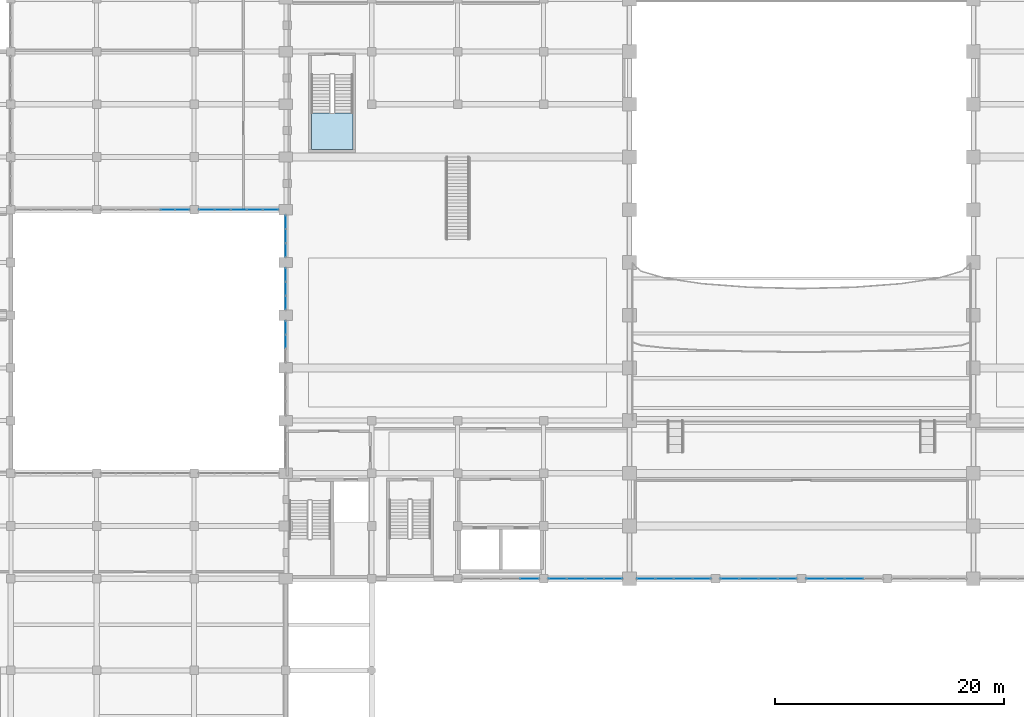
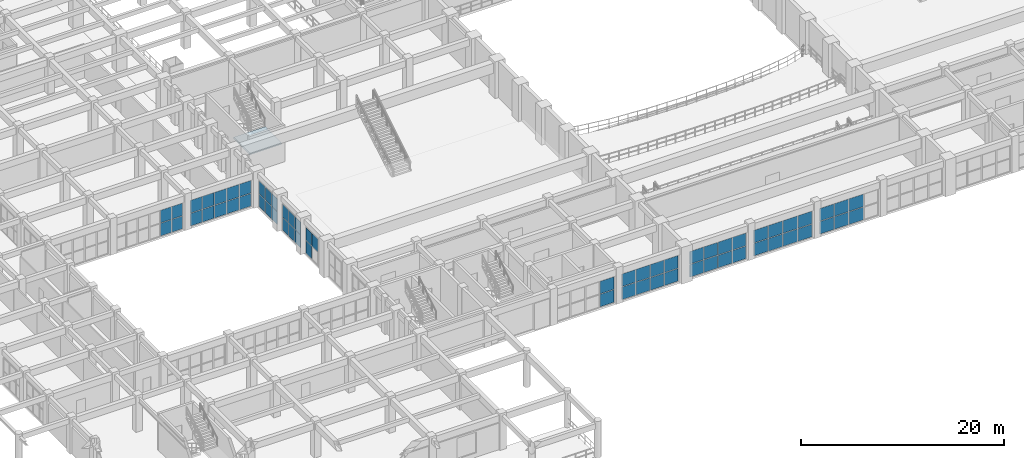
# One storey, part 87 of 116: 61 plates, 1 slab, 11 elements without a shape of their own.
"""IFC4 building model written with IfcOpenShell, lengths in metres."""

from ifc_helpers import new_model, si_unit, direction, frame, origin, origin_2d, place, context, subcontext, project, spatial, polyline, rectangle, outline, extrude, material, layer, layer_set, type_object, element, aggregate, save


model = new_model("IFC4")

# Units and contexts
model_context = context("Model", 3, precision=1e-05, world=origin(), true_north=direction((0.0, 1.0)))
body_context = subcontext(model_context, "Body", "Model", "MODEL_VIEW")
ifc_project = project(units=[si_unit("LENGTHUNIT", "METRE"), si_unit("AREAUNIT", "SQUARE_METRE"), si_unit("VOLUMEUNIT", "CUBIC_METRE"), si_unit("PLANEANGLEUNIT", "RADIAN"), si_unit("MASSUNIT", "GRAM", prefix="KILO")], contexts=[model_context])

# Site, building, storey
site_placement = place(None, origin())
site = spatial("IfcSite", under=ifc_project, at=site_placement, CompositionType="ELEMENT")
building_placement = place(site_placement, origin())
building = spatial("IfcBuilding", under=site, at=building_placement, Name="Muzn Square Opera House", CompositionType="ELEMENT")
storey_placement = place(building_placement, frame((0.0, 0.0, 5.39990234375)))
storey = spatial("IfcBuildingStorey", under=building, at=storey_placement, Name="L01", CompositionType="ELEMENT", Elevation=5.39990234375)

# Curtain wall, plates
ifc_material_1 = material(Name="Low-E laminated acoustic double glazing", Category="glass")
ifc_layer_1 = layer(ifc_material_1, 0.159912109375, Name="Low-E laminated acoustic double glazing", Category="glass")
ifc_layer_set_1 = layer_set([ifc_layer_1], Name="Low-E laminated acoustic double glazing")
curtain_wall_type_1 = type_object("IfcCurtainWallType", Name="Glazed Curtain Wall Forecourt 6750x3200", PredefinedType="USERDEFINED", material=ifc_layer_set_1)
curtain_wall_1_placement = place(storey_placement, origin())
curtain_wall_1 = element("IfcCurtainWall", 1, at=curtain_wall_1_placement, inside=storey, type_object=curtain_wall_type_1, Name="Glazed Curtain Wall CW-L01-003", ObjectType="GLAZED CURTAIN WALL", PredefinedType="USERDEFINED")
ifc_layer_2 = layer(ifc_material_1, 0.028076171875, Name="Low-E laminated acoustic double glazing", Category="glass")
ifc_layer_set_2 = layer_set([ifc_layer_2], Name="Low-E laminated acoustic double glazing")
plate_type = type_object("IfcPlateType", Name="Curtain Wall Acoustic Glazed Panel 28mm", PredefinedType="CURTAIN_PANEL", material=ifc_layer_set_2)
plate_1_placement = place(storey_placement, frame((64.266357421875, 22.0, 0.06005859375), z_axis=(0.0, 0.0, 1.0), x_axis=(1.0, 0.0, 0.0)))
plate_1 = element("IfcPlate", 2, at=plate_1_placement, type_object=plate_type, Name="CW-FC-67x32 panel 4.1", PredefinedType="CURTAIN_PANEL", context=body_context, shape_type="SweptSolid", body=[
    extrude(rectangle(XDim=1.597412109375, YDim=0.028076171875, at=origin_2d()), origin(), (0.0, 0.0, 1.0), 1.510009765625),
])
plate_2_placement = place(storey_placement, frame((64.266357421875, 22.0, 1.6298828125), z_axis=(0.0, 0.0, 1.0), x_axis=(1.0, 0.0, 0.0)))
plate_2 = element("IfcPlate", 3, at=plate_2_placement, type_object=plate_type, Name="CW-FC-67x32 panel 4.2", PredefinedType="CURTAIN_PANEL", context=body_context, shape_type="SweptSolid", body=[
    extrude(rectangle(XDim=1.597412109375, YDim=0.028076171875, at=origin_2d()), origin(), (0.0, 0.0, 1.0), 1.510009765625),
])
aggregate(curtain_wall_1, [plate_1, plate_2])

ifc_layer_3 = layer(ifc_material_1, 0.159912109375, Name="Low-E laminated acoustic double glazing", Category="glass")
ifc_layer_set_3 = layer_set([ifc_layer_3], Name="Low-E laminated acoustic double glazing")
curtain_wall_type_2 = type_object("IfcCurtainWallType", Name="Glazed Curtain Wall Forecourt 6525x3200", PredefinedType="USERDEFINED", material=ifc_layer_set_3)
curtain_wall_2_placement = place(storey_placement, origin())
curtain_wall_2 = element("IfcCurtainWall", 4, at=curtain_wall_2_placement, inside=storey, type_object=curtain_wall_type_2, Name="Glazed Curtain Wall CW-L01-004", ObjectType="GLAZED CURTAIN WALL", PredefinedType="USERDEFINED")
plate_3_placement = place(storey_placement, frame((66.70556640625, 22.0, 0.06005859375), z_axis=(0.0, 0.0, 1.0), x_axis=(1.0, 0.0, 0.0)))
plate_3 = element("IfcPlate", 5, at=plate_3_placement, type_object=plate_type, Name="CW-FC-65x32 panel 1.1", PredefinedType="CURTAIN_PANEL", context=body_context, shape_type="SweptSolid", body=[
    extrude(rectangle(XDim=1.541259765625, YDim=0.028076171875, at=origin_2d()), origin(), (0.0, 0.0, 1.0), 1.510009765625),
])
plate_4_placement = place(storey_placement, frame((66.70556640625, 22.0, 1.6298828125), z_axis=(0.0, 0.0, 1.0), x_axis=(1.0, 0.0, 0.0)))
plate_4 = element("IfcPlate", 6, at=plate_4_placement, type_object=plate_type, Name="CW-FC-65x32 panel 1.2", PredefinedType="CURTAIN_PANEL", context=body_context, shape_type="SweptSolid", body=[
    extrude(rectangle(XDim=1.541259765625, YDim=0.028076171875, at=origin_2d()), origin(), (0.0, 0.0, 1.0), 1.510009765625),
])
plate_5_placement = place(storey_placement, frame((68.32177734375, 22.0, 0.06005859375), z_axis=(0.0, 0.0, 1.0), x_axis=(1.0, 0.0, 0.0)))
plate_5 = element("IfcPlate", 7, at=plate_5_placement, type_object=plate_type, Name="CW-FC-65x32 panel 2.1", PredefinedType="CURTAIN_PANEL", context=body_context, shape_type="SweptSolid", body=[
    extrude(rectangle(XDim=1.5712890625, YDim=0.028076171875, at=origin_2d()), origin(), (0.0, 0.0, 1.0), 1.510009765625),
])
plate_6_placement = place(storey_placement, frame((68.32177734375, 22.0, 1.6298828125), z_axis=(0.0, 0.0, 1.0), x_axis=(1.0, 0.0, 0.0)))
plate_6 = element("IfcPlate", 8, at=plate_6_placement, type_object=plate_type, Name="CW-FC-65x32 panel 2.2", PredefinedType="CURTAIN_PANEL", context=body_context, shape_type="SweptSolid", body=[
    extrude(rectangle(XDim=1.5712890625, YDim=0.028076171875, at=origin_2d()), origin(), (0.0, 0.0, 1.0), 1.510009765625),
])
plate_7_placement = place(storey_placement, frame((69.953125, 22.0, 0.06005859375), z_axis=(0.0, 0.0, 1.0), x_axis=(1.0, 0.0, 0.0)))
plate_7 = element("IfcPlate", 9, at=plate_7_placement, type_object=plate_type, Name="CW-FC-65x32 panel 3.1", PredefinedType="CURTAIN_PANEL", context=body_context, shape_type="SweptSolid", body=[
    extrude(rectangle(XDim=1.5712890625, YDim=0.028076171875, at=origin_2d()), origin(), (0.0, 0.0, 1.0), 1.510009765625),
])
plate_8_placement = place(storey_placement, frame((69.953125, 22.0, 1.6298828125), z_axis=(0.0, 0.0, 1.0), x_axis=(1.0, 0.0, 0.0)))
plate_8 = element("IfcPlate", 10, at=plate_8_placement, type_object=plate_type, Name="CW-FC-65x32 panel 3.2", PredefinedType="CURTAIN_PANEL", context=body_context, shape_type="SweptSolid", body=[
    extrude(rectangle(XDim=1.5712890625, YDim=0.028076171875, at=origin_2d()), origin(), (0.0, 0.0, 1.0), 1.510009765625),
])
plate_9_placement = place(storey_placement, frame((71.5693359375, 22.0, 0.06005859375), z_axis=(0.0, 0.0, 1.0), x_axis=(1.0, 0.0, 0.0)))
plate_9 = element("IfcPlate", 11, at=plate_9_placement, type_object=plate_type, Name="CW-FC-65x32 panel 4.1", PredefinedType="CURTAIN_PANEL", context=body_context, shape_type="SweptSolid", body=[
    extrude(rectangle(XDim=1.541259765625, YDim=0.028076171875, at=origin_2d()), origin(), (0.0, 0.0, 1.0), 1.510009765625),
])
plate_10_placement = place(storey_placement, frame((71.5693359375, 22.0, 1.6298828125), z_axis=(0.0, 0.0, 1.0), x_axis=(1.0, 0.0, 0.0)))
plate_10 = element("IfcPlate", 12, at=plate_10_placement, type_object=plate_type, Name="CW-FC-65x32 panel 4.2", PredefinedType="CURTAIN_PANEL", context=body_context, shape_type="SweptSolid", body=[
    extrude(rectangle(XDim=1.541259765625, YDim=0.028076171875, at=origin_2d()), origin(), (0.0, 0.0, 1.0), 1.510009765625),
])
aggregate(curtain_wall_2, [plate_3, plate_4, plate_5, plate_6, plate_7, plate_8, plate_9, plate_10])

curtain_wall_3_placement = place(storey_placement, origin())
curtain_wall_3 = element("IfcCurtainWall", 13, at=curtain_wall_3_placement, inside=storey, type_object=curtain_wall_type_2, Name="Glazed Curtain Wall CW-L01-005", ObjectType="GLAZED CURTAIN WALL", PredefinedType="USERDEFINED")
plate_11_placement = place(storey_placement, frame((74.4306640625, 22.0, 0.06005859375), z_axis=(0.0, 0.0, 1.0), x_axis=(1.0, 0.0, 0.0)))
plate_11 = element("IfcPlate", 14, at=plate_11_placement, type_object=plate_type, Name="CW-FC-65x32 panel 1.1", PredefinedType="CURTAIN_PANEL", context=body_context, shape_type="SweptSolid", body=[
    extrude(rectangle(XDim=1.541259765625, YDim=0.028076171875, at=origin_2d()), origin(), (0.0, 0.0, 1.0), 1.510009765625),
])
plate_12_placement = place(storey_placement, frame((74.4306640625, 22.0, 1.6298828125), z_axis=(0.0, 0.0, 1.0), x_axis=(1.0, 0.0, 0.0)))
plate_12 = element("IfcPlate", 15, at=plate_12_placement, type_object=plate_type, Name="CW-FC-65x32 panel 1.2", PredefinedType="CURTAIN_PANEL", context=body_context, shape_type="SweptSolid", body=[
    extrude(rectangle(XDim=1.541259765625, YDim=0.028076171875, at=origin_2d()), origin(), (0.0, 0.0, 1.0), 1.510009765625),
])
plate_13_placement = place(storey_placement, frame((76.046875, 22.0, 0.06005859375), z_axis=(0.0, 0.0, 1.0), x_axis=(1.0, 0.0, 0.0)))
plate_13 = element("IfcPlate", 16, at=plate_13_placement, type_object=plate_type, Name="CW-FC-65x32 panel 2.1", PredefinedType="CURTAIN_PANEL", context=body_context, shape_type="SweptSolid", body=[
    extrude(rectangle(XDim=1.5712890625, YDim=0.028076171875, at=origin_2d()), origin(), (0.0, 0.0, 1.0), 1.510009765625),
])
plate_14_placement = place(storey_placement, frame((76.046875, 22.0, 1.6298828125), z_axis=(0.0, 0.0, 1.0), x_axis=(1.0, 0.0, 0.0)))
plate_14 = element("IfcPlate", 17, at=plate_14_placement, type_object=plate_type, Name="CW-FC-65x32 panel 2.2", PredefinedType="CURTAIN_PANEL", context=body_context, shape_type="SweptSolid", body=[
    extrude(rectangle(XDim=1.5712890625, YDim=0.028076171875, at=origin_2d()), origin(), (0.0, 0.0, 1.0), 1.510009765625),
])
plate_15_placement = place(storey_placement, frame((77.67822265625, 22.0, 0.06005859375), z_axis=(0.0, 0.0, 1.0), x_axis=(1.0, 0.0, 0.0)))
plate_15 = element("IfcPlate", 18, at=plate_15_placement, type_object=plate_type, Name="CW-FC-65x32 panel 3.1", PredefinedType="CURTAIN_PANEL", context=body_context, shape_type="SweptSolid", body=[
    extrude(rectangle(XDim=1.5712890625, YDim=0.028076171875, at=origin_2d()), origin(), (0.0, 0.0, 1.0), 1.510009765625),
])
plate_16_placement = place(storey_placement, frame((77.67822265625, 22.0, 1.6298828125), z_axis=(0.0, 0.0, 1.0), x_axis=(1.0, 0.0, 0.0)))
plate_16 = element("IfcPlate", 19, at=plate_16_placement, type_object=plate_type, Name="CW-FC-65x32 panel 3.2", PredefinedType="CURTAIN_PANEL", context=body_context, shape_type="SweptSolid", body=[
    extrude(rectangle(XDim=1.5712890625, YDim=0.028076171875, at=origin_2d()), origin(), (0.0, 0.0, 1.0), 1.510009765625),
])
plate_17_placement = place(storey_placement, frame((79.29443359375, 22.0, 0.06005859375), z_axis=(0.0, 0.0, 1.0), x_axis=(1.0, 0.0, 0.0)))
plate_17 = element("IfcPlate", 20, at=plate_17_placement, type_object=plate_type, Name="CW-FC-65x32 panel 4.1", PredefinedType="CURTAIN_PANEL", context=body_context, shape_type="SweptSolid", body=[
    extrude(rectangle(XDim=1.541259765625, YDim=0.028076171875, at=origin_2d()), origin(), (0.0, 0.0, 1.0), 1.510009765625),
])
plate_18_placement = place(storey_placement, frame((79.29443359375, 22.0, 1.6298828125), z_axis=(0.0, 0.0, 1.0), x_axis=(1.0, 0.0, 0.0)))
plate_18 = element("IfcPlate", 21, at=plate_18_placement, type_object=plate_type, Name="CW-FC-65x32 panel 4.2", PredefinedType="CURTAIN_PANEL", context=body_context, shape_type="SweptSolid", body=[
    extrude(rectangle(XDim=1.541259765625, YDim=0.028076171875, at=origin_2d()), origin(), (0.0, 0.0, 1.0), 1.510009765625),
])
aggregate(curtain_wall_3, [plate_11, plate_12, plate_13, plate_14, plate_15, plate_16, plate_17, plate_18])

curtain_wall_4_placement = place(storey_placement, origin())
curtain_wall_4 = element("IfcCurtainWall", 22, at=curtain_wall_4_placement, inside=storey, type_object=curtain_wall_type_1, Name="Glazed Curtain Wall CW-L01-006", ObjectType="GLAZED CURTAIN WALL", PredefinedType="USERDEFINED")
plate_19_placement = place(storey_placement, frame((81.733642578125, 22.0, 0.06005859375), z_axis=(0.0, 0.0, 1.0), x_axis=(1.0, 0.0, 0.0)))
plate_19 = element("IfcPlate", 23, at=plate_19_placement, type_object=plate_type, Name="CW-FC-67x32 panel 1.1", PredefinedType="CURTAIN_PANEL", context=body_context, shape_type="SweptSolid", body=[
    extrude(rectangle(XDim=1.597412109375, YDim=0.028076171875, at=origin_2d()), origin(), (0.0, 0.0, 1.0), 1.510009765625),
])
plate_20_placement = place(storey_placement, frame((81.733642578125, 22.0, 1.6298828125), z_axis=(0.0, 0.0, 1.0), x_axis=(1.0, 0.0, 0.0)))
plate_20 = element("IfcPlate", 24, at=plate_20_placement, type_object=plate_type, Name="CW-FC-67x32 panel 1.2", PredefinedType="CURTAIN_PANEL", context=body_context, shape_type="SweptSolid", body=[
    extrude(rectangle(XDim=1.597412109375, YDim=0.028076171875, at=origin_2d()), origin(), (0.0, 0.0, 1.0), 1.510009765625),
])
plate_21_placement = place(storey_placement, frame((83.40625, 22.0, 0.06005859375), z_axis=(0.0, 0.0, 1.0), x_axis=(1.0, 0.0, 0.0)))
plate_21 = element("IfcPlate", 25, at=plate_21_placement, type_object=plate_type, Name="CW-FC-67x32 panel 2.1", PredefinedType="CURTAIN_PANEL", context=body_context, shape_type="SweptSolid", body=[
    extrude(rectangle(XDim=1.62744140625, YDim=0.028076171875, at=origin_2d()), origin(), (0.0, 0.0, 1.0), 1.510009765625),
])
plate_22_placement = place(storey_placement, frame((83.40625, 22.0, 1.6298828125), z_axis=(0.0, 0.0, 1.0), x_axis=(1.0, 0.0, 0.0)))
plate_22 = element("IfcPlate", 26, at=plate_22_placement, type_object=plate_type, Name="CW-FC-67x32 panel 2.2", PredefinedType="CURTAIN_PANEL", context=body_context, shape_type="SweptSolid", body=[
    extrude(rectangle(XDim=1.62744140625, YDim=0.028076171875, at=origin_2d()), origin(), (0.0, 0.0, 1.0), 1.510009765625),
])
plate_23_placement = place(storey_placement, frame((85.09375, 22.0, 0.06005859375), z_axis=(0.0, 0.0, 1.0), x_axis=(1.0, 0.0, 0.0)))
plate_23 = element("IfcPlate", 27, at=plate_23_placement, type_object=plate_type, Name="CW-FC-67x32 panel 3.1", PredefinedType="CURTAIN_PANEL", context=body_context, shape_type="SweptSolid", body=[
    extrude(rectangle(XDim=1.62744140625, YDim=0.028076171875, at=origin_2d()), origin(), (0.0, 0.0, 1.0), 1.510009765625),
])
plate_24_placement = place(storey_placement, frame((85.09375, 22.0, 1.6298828125), z_axis=(0.0, 0.0, 1.0), x_axis=(1.0, 0.0, 0.0)))
plate_24 = element("IfcPlate", 28, at=plate_24_placement, type_object=plate_type, Name="CW-FC-67x32 panel 3.2", PredefinedType="CURTAIN_PANEL", context=body_context, shape_type="SweptSolid", body=[
    extrude(rectangle(XDim=1.62744140625, YDim=0.028076171875, at=origin_2d()), origin(), (0.0, 0.0, 1.0), 1.510009765625),
])
plate_25_placement = place(storey_placement, frame((86.766357421875, 22.0, 0.06005859375), z_axis=(0.0, 0.0, 1.0), x_axis=(1.0, 0.0, 0.0)))
plate_25 = element("IfcPlate", 29, at=plate_25_placement, type_object=plate_type, Name="CW-FC-67x32 panel 4.1", PredefinedType="CURTAIN_PANEL", context=body_context, shape_type="SweptSolid", body=[
    extrude(rectangle(XDim=1.597412109375, YDim=0.028076171875, at=origin_2d()), origin(), (0.0, 0.0, 1.0), 1.510009765625),
])
plate_26_placement = place(storey_placement, frame((86.766357421875, 22.0, 1.6298828125), z_axis=(0.0, 0.0, 1.0), x_axis=(1.0, 0.0, 0.0)))
plate_26 = element("IfcPlate", 30, at=plate_26_placement, type_object=plate_type, Name="CW-FC-67x32 panel 4.2", PredefinedType="CURTAIN_PANEL", context=body_context, shape_type="SweptSolid", body=[
    extrude(rectangle(XDim=1.597412109375, YDim=0.028076171875, at=origin_2d()), origin(), (0.0, 0.0, 1.0), 1.510009765625),
])
aggregate(curtain_wall_4, [plate_19, plate_20, plate_21, plate_22, plate_23, plate_24, plate_25, plate_26])

curtain_wall_5_placement = place(storey_placement, origin())
curtain_wall_5 = element("IfcCurtainWall", 31, at=curtain_wall_5_placement, inside=storey, type_object=curtain_wall_type_1, Name="Glazed Curtain Wall CW-L01-007", ObjectType="GLAZED CURTAIN WALL", PredefinedType="USERDEFINED")
plate_27_placement = place(storey_placement, frame((89.233642578125, 22.0, 0.06005859375), z_axis=(0.0, 0.0, 1.0), x_axis=(1.0, 0.0, 0.0)))
plate_27 = element("IfcPlate", 32, at=plate_27_placement, type_object=plate_type, Name="CW-FC-67x32 panel 1.1", PredefinedType="CURTAIN_PANEL", context=body_context, shape_type="SweptSolid", body=[
    extrude(rectangle(XDim=1.597412109375, YDim=0.028076171875, at=origin_2d()), origin(), (0.0, 0.0, 1.0), 1.510009765625),
])
plate_28_placement = place(storey_placement, frame((89.233642578125, 22.0, 1.6298828125), z_axis=(0.0, 0.0, 1.0), x_axis=(1.0, 0.0, 0.0)))
plate_28 = element("IfcPlate", 33, at=plate_28_placement, type_object=plate_type, Name="CW-FC-67x32 panel 1.2", PredefinedType="CURTAIN_PANEL", context=body_context, shape_type="SweptSolid", body=[
    extrude(rectangle(XDim=1.597412109375, YDim=0.028076171875, at=origin_2d()), origin(), (0.0, 0.0, 1.0), 1.510009765625),
])
plate_29_placement = place(storey_placement, frame((90.90625, 22.0, 0.06005859375), z_axis=(0.0, 0.0, 1.0), x_axis=(1.0, 0.0, 0.0)))
plate_29 = element("IfcPlate", 34, at=plate_29_placement, type_object=plate_type, Name="CW-FC-67x32 panel 2.1", PredefinedType="CURTAIN_PANEL", context=body_context, shape_type="SweptSolid", body=[
    extrude(rectangle(XDim=1.62744140625, YDim=0.028076171875, at=origin_2d()), origin(), (0.0, 0.0, 1.0), 1.510009765625),
])
plate_30_placement = place(storey_placement, frame((90.90625, 22.0, 1.6298828125), z_axis=(0.0, 0.0, 1.0), x_axis=(1.0, 0.0, 0.0)))
plate_30 = element("IfcPlate", 35, at=plate_30_placement, type_object=plate_type, Name="CW-FC-67x32 panel 2.2", PredefinedType="CURTAIN_PANEL", context=body_context, shape_type="SweptSolid", body=[
    extrude(rectangle(XDim=1.62744140625, YDim=0.028076171875, at=origin_2d()), origin(), (0.0, 0.0, 1.0), 1.510009765625),
])
plate_31_placement = place(storey_placement, frame((92.59375, 22.0, 0.06005859375), z_axis=(0.0, 0.0, 1.0), x_axis=(1.0, 0.0, 0.0)))
plate_31 = element("IfcPlate", 36, at=plate_31_placement, type_object=plate_type, Name="CW-FC-67x32 panel 3.1", PredefinedType="CURTAIN_PANEL", context=body_context, shape_type="SweptSolid", body=[
    extrude(rectangle(XDim=1.62744140625, YDim=0.028076171875, at=origin_2d()), origin(), (0.0, 0.0, 1.0), 1.510009765625),
])
plate_32_placement = place(storey_placement, frame((92.59375, 22.0, 1.6298828125), z_axis=(0.0, 0.0, 1.0), x_axis=(1.0, 0.0, 0.0)))
plate_32 = element("IfcPlate", 37, at=plate_32_placement, type_object=plate_type, Name="CW-FC-67x32 panel 3.2", PredefinedType="CURTAIN_PANEL", context=body_context, shape_type="SweptSolid", body=[
    extrude(rectangle(XDim=1.62744140625, YDim=0.028076171875, at=origin_2d()), origin(), (0.0, 0.0, 1.0), 1.510009765625),
])
aggregate(curtain_wall_5, [plate_27, plate_28, plate_29, plate_30, plate_31, plate_32])

ifc_layer_4 = layer(ifc_material_1, 0.159912109375, Name="Low-E laminated acoustic double glazing", Category="glass")
ifc_layer_set_4 = layer_set([ifc_layer_4], Name="Low-E laminated acoustic double glazing")
curtain_wall_type_3 = type_object("IfcCurtainWallType", Name="Glazed Curtain Wall WestVaultCourt 3700x3200", PredefinedType="USERDEFINED", material=ifc_layer_set_4)
curtain_wall_6_placement = place(storey_placement, origin())
curtain_wall_6 = element("IfcCurtainWall", 38, at=curtain_wall_6_placement, inside=storey, type_object=curtain_wall_type_3, Name="Glazed Curtain Wall CW-L01-043", ObjectType="GLAZED CURTAIN WALL", PredefinedType="USERDEFINED")
plate_33_placement = place(storey_placement, frame((43.0, 42.699951171875, 1.6298828125), z_axis=(0.0, 0.0, 1.0), x_axis=(0.0, 1.0, 0.0)))
plate_33 = element("IfcPlate", 39, at=plate_33_placement, type_object=plate_type, Name="CW-WVC-37x32 panel 2.2", PredefinedType="CURTAIN_PANEL", context=body_context, shape_type="SweptSolid", body=[
    extrude(rectangle(XDim=1.17333984375, YDim=0.028076171875, at=origin_2d()), origin(), (0.0, 0.0, 1.0), 1.510009765625),
])
plate_34_placement = place(storey_placement, frame((43.0, 43.918212890625, 0.06005859375), z_axis=(0.0, 0.0, 1.0), x_axis=(0.0, 1.0, 0.0)))
plate_34 = element("IfcPlate", 40, at=plate_34_placement, type_object=plate_type, Name="CW-WVC-37x32 panel 3.1", PredefinedType="CURTAIN_PANEL", context=body_context, shape_type="SweptSolid", body=[
    extrude(rectangle(XDim=1.143310546875, YDim=0.028076171875, at=origin_2d()), origin(), (0.0, 0.0, 1.0), 1.510009765625),
])
plate_35_placement = place(storey_placement, frame((43.0, 43.918212890625, 1.6298828125), z_axis=(0.0, 0.0, 1.0), x_axis=(0.0, 1.0, 0.0)))
plate_35 = element("IfcPlate", 41, at=plate_35_placement, type_object=plate_type, Name="CW-WVC-37x32 panel 3.2", PredefinedType="CURTAIN_PANEL", context=body_context, shape_type="SweptSolid", body=[
    extrude(rectangle(XDim=1.143310546875, YDim=0.028076171875, at=origin_2d()), origin(), (0.0, 0.0, 1.0), 1.510009765625),
])
aggregate(curtain_wall_6, [plate_33, plate_34, plate_35])

curtain_wall_7_placement = place(storey_placement, origin())
curtain_wall_7 = element("IfcCurtainWall", 42, at=curtain_wall_7_placement, inside=storey, type_object=curtain_wall_type_3, Name="Glazed Curtain Wall CW-L01-045", ObjectType="GLAZED CURTAIN WALL", PredefinedType="USERDEFINED")
plate_36_placement = place(storey_placement, frame((43.0, 46.081787109375, 0.06005859375), z_axis=(0.0, 0.0, 1.0), x_axis=(0.0, 1.0, 0.0)))
plate_36 = element("IfcPlate", 43, at=plate_36_placement, type_object=plate_type, Name="CW-WVC-37x32 panel 1.1", PredefinedType="CURTAIN_PANEL", context=body_context, shape_type="SweptSolid", body=[
    extrude(rectangle(XDim=1.143310546875, YDim=0.028076171875, at=origin_2d()), origin(), (0.0, 0.0, 1.0), 1.510009765625),
])
plate_37_placement = place(storey_placement, frame((43.0, 46.081787109375, 1.6298828125), z_axis=(0.0, 0.0, 1.0), x_axis=(0.0, 1.0, 0.0)))
plate_37 = element("IfcPlate", 44, at=plate_37_placement, type_object=plate_type, Name="CW-WVC-37x32 panel 1.2", PredefinedType="CURTAIN_PANEL", context=body_context, shape_type="SweptSolid", body=[
    extrude(rectangle(XDim=1.143310546875, YDim=0.028076171875, at=origin_2d()), origin(), (0.0, 0.0, 1.0), 1.510009765625),
])
plate_38_placement = place(storey_placement, frame((43.0, 47.300048828125, 0.06005859375), z_axis=(0.0, 0.0, 1.0), x_axis=(0.0, 1.0, 0.0)))
plate_38 = element("IfcPlate", 45, at=plate_38_placement, type_object=plate_type, Name="CW-WVC-37x32 panel 2.1", PredefinedType="CURTAIN_PANEL", context=body_context, shape_type="SweptSolid", body=[
    extrude(rectangle(XDim=1.17333984375, YDim=0.028076171875, at=origin_2d()), origin(), (0.0, 0.0, 1.0), 1.510009765625),
])
plate_39_placement = place(storey_placement, frame((43.0, 47.300048828125, 1.6298828125), z_axis=(0.0, 0.0, 1.0), x_axis=(0.0, 1.0, 0.0)))
plate_39 = element("IfcPlate", 46, at=plate_39_placement, type_object=plate_type, Name="CW-WVC-37x32 panel 2.2", PredefinedType="CURTAIN_PANEL", context=body_context, shape_type="SweptSolid", body=[
    extrude(rectangle(XDim=1.17333984375, YDim=0.028076171875, at=origin_2d()), origin(), (0.0, 0.0, 1.0), 1.510009765625),
])
plate_40_placement = place(storey_placement, frame((43.0, 48.518310546875, 0.06005859375), z_axis=(0.0, 0.0, 1.0), x_axis=(0.0, 1.0, 0.0)))
plate_40 = element("IfcPlate", 47, at=plate_40_placement, type_object=plate_type, Name="CW-WVC-37x32 panel 3.1", PredefinedType="CURTAIN_PANEL", context=body_context, shape_type="SweptSolid", body=[
    extrude(rectangle(XDim=1.143310546875, YDim=0.028076171875, at=origin_2d()), origin(), (0.0, 0.0, 1.0), 1.510009765625),
])
plate_41_placement = place(storey_placement, frame((43.0, 48.518310546875, 1.6298828125), z_axis=(0.0, 0.0, 1.0), x_axis=(0.0, 1.0, 0.0)))
plate_41 = element("IfcPlate", 48, at=plate_41_placement, type_object=plate_type, Name="CW-WVC-37x32 panel 3.2", PredefinedType="CURTAIN_PANEL", context=body_context, shape_type="SweptSolid", body=[
    extrude(rectangle(XDim=1.143310546875, YDim=0.028076171875, at=origin_2d()), origin(), (0.0, 0.0, 1.0), 1.510009765625),
])
aggregate(curtain_wall_7, [plate_36, plate_37, plate_38, plate_39, plate_40, plate_41])

curtain_wall_8_placement = place(storey_placement, origin())
curtain_wall_8 = element("IfcCurtainWall", 49, at=curtain_wall_8_placement, inside=storey, type_object=curtain_wall_type_3, Name="Glazed Curtain Wall CW-L01-047", ObjectType="GLAZED CURTAIN WALL", PredefinedType="USERDEFINED")
plate_42_placement = place(storey_placement, frame((43.0, 50.681640625, 0.06005859375), z_axis=(0.0, 0.0, 1.0), x_axis=(0.0, 1.0, 0.0)))
plate_42 = element("IfcPlate", 50, at=plate_42_placement, type_object=plate_type, Name="CW-WVC-37x32 panel 1.1", PredefinedType="CURTAIN_PANEL", context=body_context, shape_type="SweptSolid", body=[
    extrude(rectangle(XDim=1.143310546875, YDim=0.028076171875, at=origin_2d()), origin(), (0.0, 0.0, 1.0), 1.510009765625),
])
plate_43_placement = place(storey_placement, frame((43.0, 50.681640625, 1.6298828125), z_axis=(0.0, 0.0, 1.0), x_axis=(0.0, 1.0, 0.0)))
plate_43 = element("IfcPlate", 51, at=plate_43_placement, type_object=plate_type, Name="CW-WVC-37x32 panel 1.2", PredefinedType="CURTAIN_PANEL", context=body_context, shape_type="SweptSolid", body=[
    extrude(rectangle(XDim=1.143310546875, YDim=0.028076171875, at=origin_2d()), origin(), (0.0, 0.0, 1.0), 1.510009765625),
])
plate_44_placement = place(storey_placement, frame((43.0, 51.89990234375, 0.06005859375), z_axis=(0.0, 0.0, 1.0), x_axis=(0.0, 1.0, 0.0)))
plate_44 = element("IfcPlate", 52, at=plate_44_placement, type_object=plate_type, Name="CW-WVC-37x32 panel 2.1", PredefinedType="CURTAIN_PANEL", context=body_context, shape_type="SweptSolid", body=[
    extrude(rectangle(XDim=1.17333984375, YDim=0.028076171875, at=origin_2d()), origin(), (0.0, 0.0, 1.0), 1.510009765625),
])
plate_45_placement = place(storey_placement, frame((43.0, 51.89990234375, 1.6298828125), z_axis=(0.0, 0.0, 1.0), x_axis=(0.0, 1.0, 0.0)))
plate_45 = element("IfcPlate", 53, at=plate_45_placement, type_object=plate_type, Name="CW-WVC-37x32 panel 2.2", PredefinedType="CURTAIN_PANEL", context=body_context, shape_type="SweptSolid", body=[
    extrude(rectangle(XDim=1.17333984375, YDim=0.028076171875, at=origin_2d()), origin(), (0.0, 0.0, 1.0), 1.510009765625),
])
plate_46_placement = place(storey_placement, frame((43.0, 53.118408203125, 0.06005859375), z_axis=(0.0, 0.0, 1.0), x_axis=(0.0, 1.0, 0.0)))
plate_46 = element("IfcPlate", 54, at=plate_46_placement, type_object=plate_type, Name="CW-WVC-37x32 panel 3.1", PredefinedType="CURTAIN_PANEL", context=body_context, shape_type="SweptSolid", body=[
    extrude(rectangle(XDim=1.143310546875, YDim=0.028076171875, at=origin_2d()), origin(), (0.0, 0.0, 1.0), 1.510009765625),
])
plate_47_placement = place(storey_placement, frame((43.0, 53.118408203125, 1.6298828125), z_axis=(0.0, 0.0, 1.0), x_axis=(0.0, 1.0, 0.0)))
plate_47 = element("IfcPlate", 55, at=plate_47_placement, type_object=plate_type, Name="CW-WVC-37x32 panel 3.2", PredefinedType="CURTAIN_PANEL", context=body_context, shape_type="SweptSolid", body=[
    extrude(rectangle(XDim=1.143310546875, YDim=0.028076171875, at=origin_2d()), origin(), (0.0, 0.0, 1.0), 1.510009765625),
])
aggregate(curtain_wall_8, [plate_42, plate_43, plate_44, plate_45, plate_46, plate_47])

ifc_layer_5 = layer(ifc_material_1, 0.159912109375, Name="Low-E laminated acoustic double glazing", Category="glass")
ifc_layer_set_5 = layer_set([ifc_layer_5], Name="Low-E laminated acoustic double glazing")
curtain_wall_type_4 = type_object("IfcCurtainWallType", Name="Glazed Curtain Wall WestCloisterN 7750x3200", PredefinedType="USERDEFINED", material=ifc_layer_set_5)
curtain_wall_9_placement = place(storey_placement, origin())
curtain_wall_9 = element("IfcCurtainWall", 56, at=curtain_wall_9_placement, inside=storey, type_object=curtain_wall_type_4, Name="Glazed Curtain Wall CW-L01-084", ObjectType="GLAZED CURTAIN WALL", PredefinedType="USERDEFINED")
plate_48_placement = place(storey_placement, frame((32.6875, 54.199951171875, 0.06005859375), z_axis=(0.0, 0.0, 1.0), x_axis=(1.0, 0.0, 0.0)))
plate_48 = element("IfcPlate", 57, at=plate_48_placement, type_object=plate_type, Name="CW-WCN-77x32 panel 5.1", PredefinedType="CURTAIN_PANEL", context=body_context, shape_type="SweptSolid", body=[
    extrude(rectangle(XDim=1.231689453125, YDim=0.028076171875, at=origin_2d()), origin(), (0.0, 0.0, 1.0), 1.510009765625),
])
plate_49_placement = place(storey_placement, frame((32.6875, 54.199951171875, 1.6298828125), z_axis=(0.0, 0.0, 1.0), x_axis=(1.0, 0.0, 0.0)))
plate_49 = element("IfcPlate", 58, at=plate_49_placement, type_object=plate_type, Name="CW-WCN-77x32 panel 5.2", PredefinedType="CURTAIN_PANEL", context=body_context, shape_type="SweptSolid", body=[
    extrude(rectangle(XDim=1.231689453125, YDim=0.028076171875, at=origin_2d()), origin(), (0.0, 0.0, 1.0), 1.510009765625),
])
plate_50_placement = place(storey_placement, frame((33.964111328125, 54.199951171875, 0.06005859375), z_axis=(0.0, 0.0, 1.0), x_axis=(1.0, 0.0, 0.0)))
plate_50 = element("IfcPlate", 59, at=plate_50_placement, type_object=plate_type, Name="CW-WCN-77x32 panel 6.1", PredefinedType="CURTAIN_PANEL", context=body_context, shape_type="SweptSolid", body=[
    extrude(rectangle(XDim=1.20166015625, YDim=0.028076171875, at=origin_2d()), origin(), (0.0, 0.0, 1.0), 1.510009765625),
])
plate_51_placement = place(storey_placement, frame((33.964111328125, 54.199951171875, 1.6298828125), z_axis=(0.0, 0.0, 1.0), x_axis=(1.0, 0.0, 0.0)))
plate_51 = element("IfcPlate", 60, at=plate_51_placement, type_object=plate_type, Name="CW-WCN-77x32 panel 6.2", PredefinedType="CURTAIN_PANEL", context=body_context, shape_type="SweptSolid", body=[
    extrude(rectangle(XDim=1.20166015625, YDim=0.028076171875, at=origin_2d()), origin(), (0.0, 0.0, 1.0), 1.510009765625),
])
aggregate(curtain_wall_9, [plate_48, plate_49, plate_50, plate_51])

ifc_layer_6 = layer(ifc_material_1, 0.159912109375, Name="Low-E laminated acoustic double glazing", Category="glass")
ifc_layer_set_6 = layer_set([ifc_layer_6], Name="Low-E laminated acoustic double glazing")
curtain_wall_type_5 = type_object("IfcCurtainWallType", Name="Glazed Curtain Wall WestCloisterN 7025x3200", PredefinedType="USERDEFINED", material=ifc_layer_set_6)
curtain_wall_10_placement = place(storey_placement, origin())
curtain_wall_10 = element("IfcCurtainWall", 61, at=curtain_wall_10_placement, inside=storey, type_object=curtain_wall_type_5, Name="Glazed Curtain Wall CW-L01-086", ObjectType="GLAZED CURTAIN WALL", PredefinedType="USERDEFINED")
plate_52_placement = place(storey_placement, frame((36.092529296875, 54.199951171875, 0.06005859375), z_axis=(0.0, 0.0, 1.0), x_axis=(1.0, 0.0, 0.0)))
plate_52 = element("IfcPlate", 62, at=plate_52_placement, type_object=plate_type, Name="CW-WCN-70x32 panel 1.1", PredefinedType="CURTAIN_PANEL", context=body_context, shape_type="SweptSolid", body=[
    extrude(rectangle(XDim=1.31494140625, YDim=0.028076171875, at=origin_2d()), origin(), (0.0, 0.0, 1.0), 1.510009765625),
])
plate_53_placement = place(storey_placement, frame((36.092529296875, 54.199951171875, 1.6298828125), z_axis=(0.0, 0.0, 1.0), x_axis=(1.0, 0.0, 0.0)))
plate_53 = element("IfcPlate", 63, at=plate_53_placement, type_object=plate_type, Name="CW-WCN-70x32 panel 1.2", PredefinedType="CURTAIN_PANEL", context=body_context, shape_type="SweptSolid", body=[
    extrude(rectangle(XDim=1.31494140625, YDim=0.028076171875, at=origin_2d()), origin(), (0.0, 0.0, 1.0), 1.510009765625),
])
plate_54_placement = place(storey_placement, frame((37.482421875, 54.199951171875, 0.06005859375), z_axis=(0.0, 0.0, 1.0), x_axis=(1.0, 0.0, 0.0)))
plate_54 = element("IfcPlate", 64, at=plate_54_placement, type_object=plate_type, Name="CW-WCN-70x32 panel 2.1", PredefinedType="CURTAIN_PANEL", context=body_context, shape_type="SweptSolid", body=[
    extrude(rectangle(XDim=1.344970703125, YDim=0.028076171875, at=origin_2d()), origin(), (0.0, 0.0, 1.0), 1.510009765625),
])
plate_55_placement = place(storey_placement, frame((37.482421875, 54.199951171875, 1.6298828125), z_axis=(0.0, 0.0, 1.0), x_axis=(1.0, 0.0, 0.0)))
plate_55 = element("IfcPlate", 65, at=plate_55_placement, type_object=plate_type, Name="CW-WCN-70x32 panel 2.2", PredefinedType="CURTAIN_PANEL", context=body_context, shape_type="SweptSolid", body=[
    extrude(rectangle(XDim=1.344970703125, YDim=0.028076171875, at=origin_2d()), origin(), (0.0, 0.0, 1.0), 1.510009765625),
])
plate_56_placement = place(storey_placement, frame((38.887451171875, 54.199951171875, 0.06005859375), z_axis=(0.0, 0.0, 1.0), x_axis=(1.0, 0.0, 0.0)))
plate_56 = element("IfcPlate", 66, at=plate_56_placement, type_object=plate_type, Name="CW-WCN-70x32 panel 3.1", PredefinedType="CURTAIN_PANEL", context=body_context, shape_type="SweptSolid", body=[
    extrude(rectangle(XDim=1.344970703125, YDim=0.028076171875, at=origin_2d()), origin(), (0.0, 0.0, 1.0), 1.510009765625),
])
plate_57_placement = place(storey_placement, frame((38.887451171875, 54.199951171875, 1.6298828125), z_axis=(0.0, 0.0, 1.0), x_axis=(1.0, 0.0, 0.0)))
plate_57 = element("IfcPlate", 67, at=plate_57_placement, type_object=plate_type, Name="CW-WCN-70x32 panel 3.2", PredefinedType="CURTAIN_PANEL", context=body_context, shape_type="SweptSolid", body=[
    extrude(rectangle(XDim=1.344970703125, YDim=0.028076171875, at=origin_2d()), origin(), (0.0, 0.0, 1.0), 1.510009765625),
])
plate_58_placement = place(storey_placement, frame((40.29248046875, 54.199951171875, 0.06005859375), z_axis=(0.0, 0.0, 1.0), x_axis=(1.0, 0.0, 0.0)))
plate_58 = element("IfcPlate", 68, at=plate_58_placement, type_object=plate_type, Name="CW-WCN-70x32 panel 4.1", PredefinedType="CURTAIN_PANEL", context=body_context, shape_type="SweptSolid", body=[
    extrude(rectangle(XDim=1.344970703125, YDim=0.028076171875, at=origin_2d()), origin(), (0.0, 0.0, 1.0), 1.510009765625),
])
plate_59_placement = place(storey_placement, frame((40.29248046875, 54.199951171875, 1.6298828125), z_axis=(0.0, 0.0, 1.0), x_axis=(1.0, 0.0, 0.0)))
plate_59 = element("IfcPlate", 69, at=plate_59_placement, type_object=plate_type, Name="CW-WCN-70x32 panel 4.2", PredefinedType="CURTAIN_PANEL", context=body_context, shape_type="SweptSolid", body=[
    extrude(rectangle(XDim=1.344970703125, YDim=0.028076171875, at=origin_2d()), origin(), (0.0, 0.0, 1.0), 1.510009765625),
])
plate_60_placement = place(storey_placement, frame((41.6826171875, 54.199951171875, 0.06005859375), z_axis=(0.0, 0.0, 1.0), x_axis=(1.0, 0.0, 0.0)))
plate_60 = element("IfcPlate", 70, at=plate_60_placement, type_object=plate_type, Name="CW-WCN-70x32 panel 5.1", PredefinedType="CURTAIN_PANEL", context=body_context, shape_type="SweptSolid", body=[
    extrude(rectangle(XDim=1.31494140625, YDim=0.028076171875, at=origin_2d()), origin(), (0.0, 0.0, 1.0), 1.510009765625),
])
plate_61_placement = place(storey_placement, frame((41.6826171875, 54.199951171875, 1.6298828125), z_axis=(0.0, 0.0, 1.0), x_axis=(1.0, 0.0, 0.0)))
plate_61 = element("IfcPlate", 71, at=plate_61_placement, type_object=plate_type, Name="CW-WCN-70x32 panel 5.2", PredefinedType="CURTAIN_PANEL", context=body_context, shape_type="SweptSolid", body=[
    extrude(rectangle(XDim=1.31494140625, YDim=0.028076171875, at=origin_2d()), origin(), (0.0, 0.0, 1.0), 1.510009765625),
])
aggregate(curtain_wall_10, [plate_52, plate_53, plate_54, plate_55, plate_56, plate_57, plate_58, plate_59, plate_60, plate_61])

# Stair, slab
ifc_material_2 = material(Name="Concrete C40/50", Category="concrete")
stair_type = type_object("IfcStairType", Name="Core Escape Dogleg Stair", PredefinedType="HALF_TURN_STAIR", material=ifc_material_2)
stair_placement = place(storey_placement, origin())
stair = element("IfcStair", 72, at=stair_placement, inside=storey, type_object=stair_type, Name="L01 Escape Stair ST-9", PredefinedType="HALF_TURN_STAIR")
ifc_layer_7 = layer(ifc_material_2, 0.199951171875, Name="Concrete C40/50", Category="concrete")
ifc_layer_set_7 = layer_set([ifc_layer_7], Name="Concrete C40/50")
slab_type = type_object("IfcSlabType", Name="Stair Half Landing 200mm", PredefinedType="LANDING", material=ifc_layer_set_7)
slab_placement = place(storey_placement, frame((0.0, 0.0, 2.0)))
slab = element("IfcSlab", 73, at=slab_placement, type_object=slab_type, Name="ST-9 landing 1", PredefinedType="LANDING", context=body_context, shape_type="SweptSolid", body=[
    extrude(outline(polyline([(45.25, 62.6298828125), (45.25, 59.449951171875), (48.85009765625, 59.449951171875), (48.85009765625, 62.6298828125), (45.25, 62.6298828125)])), origin(), (0.0, 0.0, 1.0), 0.2001953125),
])
aggregate(stair, [slab])

save(model, "model.ifc")
